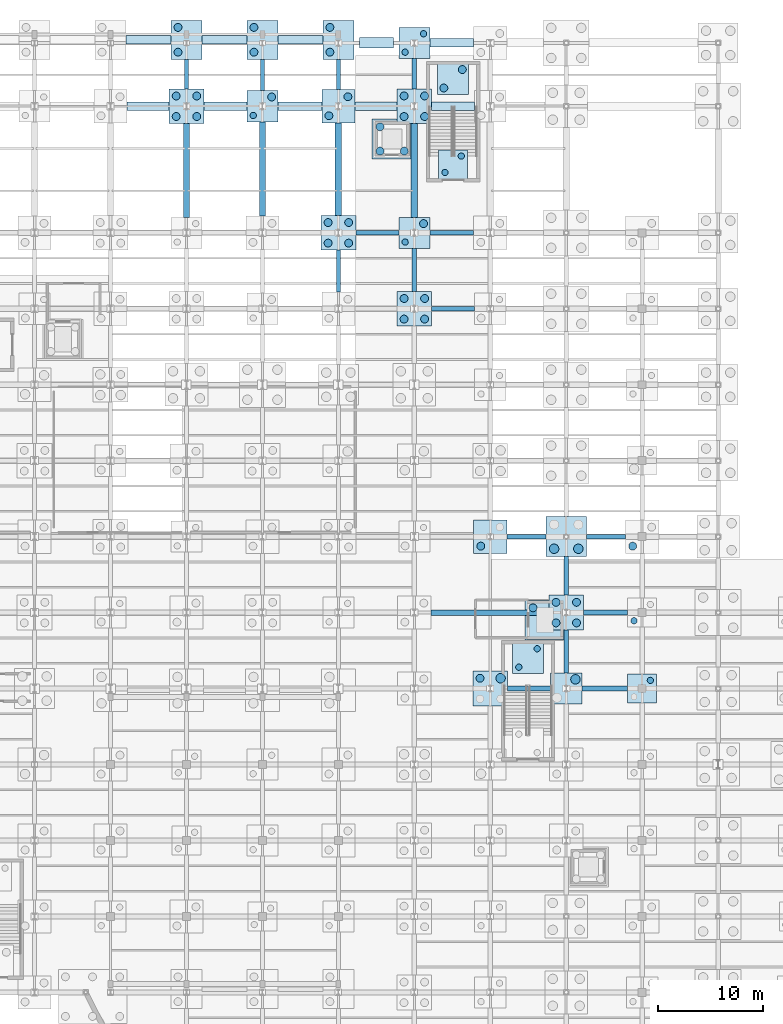
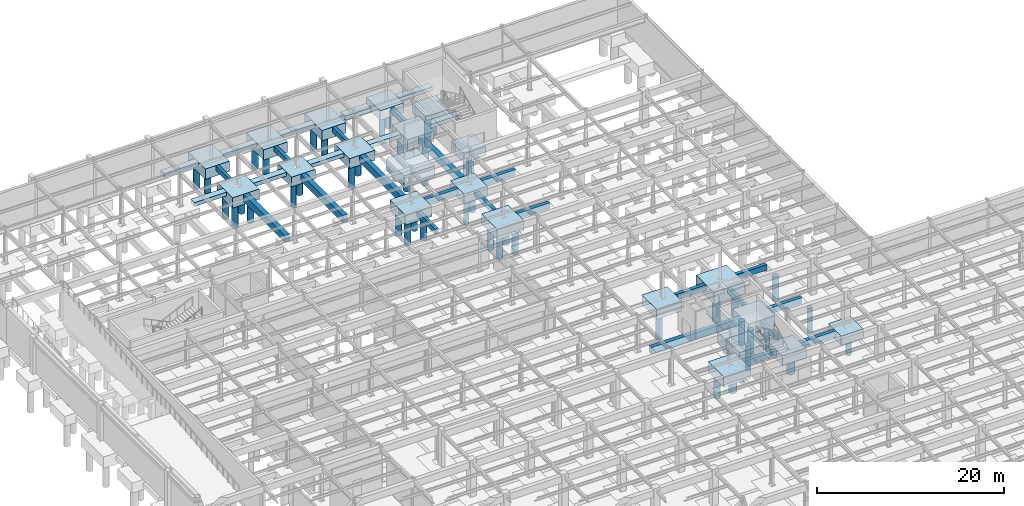
# One storey, part 11 of 64: 53 footings, 53 piles.
"""IFC4 building model written with IfcOpenShell, lengths in metres."""

from ifc_helpers import new_model, si_unit, direction, frame, origin, origin_2d, place, context, subcontext, project, spatial, rectangle, circle, extrude, material, material_profile, profile_set, type_object, element, save


model = new_model("IFC4")

# Units and contexts
model_context = context("Model", 3, precision=1e-05, world=origin(), true_north=direction((0.0, 1.0)))
body_context = subcontext(model_context, "Body", "Model", "MODEL_VIEW")
ifc_project = project(units=[si_unit("LENGTHUNIT", "METRE"), si_unit("AREAUNIT", "SQUARE_METRE"), si_unit("VOLUMEUNIT", "CUBIC_METRE"), si_unit("PLANEANGLEUNIT", "RADIAN"), si_unit("MASSUNIT", "GRAM", prefix="KILO")], contexts=[model_context])

# Site, building, storey
site_placement = place(None, origin())
site = spatial("IfcSite", under=ifc_project, at=site_placement, CompositionType="ELEMENT")
building_placement = place(site_placement, origin())
building = spatial("IfcBuilding", under=site, at=building_placement, Name="Solvadek Multi-Sports Hall", CompositionType="ELEMENT")
storey_placement = place(building_placement, frame((0.0, 0.0, -4.800048828125)))
storey = spatial("IfcBuildingStorey", under=building, at=storey_placement, Name="B1", CompositionType="ELEMENT", Elevation=-4.800048828125)

# Footings
ifc_material_1 = material(Name="Concrete M40", Category="concrete")
footing_type_1 = type_object("IfcFootingType", Name="STR-CAP-275X275X120", PredefinedType="PILE_CAP", material=ifc_material_1)
for number, where, z_axis, x_axis, name in (
    (1, (79.199951171875, 49.199951171875, -1.19970703125), (0.0, 0.0, 1.0), (1.0, 0.0, 0.0), "Pile Cap PC-02 #172"),
    (2, (61.27490234375, 98.89990234375, -1.19970703125), (0.0, 0.0, 1.0), (1.0, 0.0, 0.0), "Pile Cap PC-02 #268"),
):
    element("IfcFooting", number, at=place(storey_placement, frame(where, z_axis=z_axis, x_axis=x_axis)), inside=storey, type_object=footing_type_1, Name=name, PredefinedType="PILE_CAP", context=body_context, shape_type="SweptSolid", body=[
        extrude(rectangle(XDim=2.75, YDim=2.75, at=origin_2d()), origin(), (0.0, 0.0, 1.0), 1.199951171875),
    ])
footing_type_2 = type_object("IfcFootingType", Name="STR-CAP-295X295X125", PredefinedType="PILE_CAP", material=ifc_material_1)
for number, where, z_axis, x_axis, name in (
    (3, (72.0, 49.199951171875, -1.25), (0.0, 0.0, 1.0), (1.0, 0.0, 0.0), "Pile Cap PC-14 #163"),
    (4, (68.375, 52.10009765625, -1.25), (0.0, 0.0, 1.0), (1.0, 0.0, 0.0), "Pile Cap PC-14 #173"),
    (5, (57.60009765625, 92.39990234375, -1.25), (0.0, 0.0, 1.0), (1.0, 0.0, 0.0), "Pile Cap PC-14 #265"),
    (6, (43.199951171875, 104.39990234375, -1.25), (0.0, 0.0, 1.0), (1.0, 0.0, 0.0), "Pile Cap PC-14 #277"),
    (7, (61.27490234375, 107.0, -1.25), (0.0, 0.0, 1.0), (1.0, 0.0, 0.0), "Pile Cap PC-14 #281"),
    (8, (57.60009765625, 110.39990234375, -1.25), (0.0, 0.0, 1.0), (1.0, 0.0, 0.0), "Pile Cap PC-14 #292"),
):
    element("IfcFooting", number, at=place(storey_placement, frame(where, z_axis=z_axis, x_axis=x_axis)), inside=storey, type_object=footing_type_2, Name=name, PredefinedType="PILE_CAP", context=body_context, shape_type="SweptSolid", body=[
        extrude(rectangle(XDim=2.949951171875, YDim=2.949951171875, at=origin_2d()), origin(), (0.0, 0.0, 1.0), 1.25),
    ])
footing_type_3 = type_object("IfcFootingType", Name="STR-CAP-315X315X130", PredefinedType="PILE_CAP", material=ifc_material_1)
for number, where, z_axis, x_axis, name in (
    (9, (64.800048828125, 63.60009765625, -1.2998046875), (0.0, 0.0, 1.0), (1.0, 0.0, 0.0), "Pile Cap PC-15 #209"),
    (10, (50.39990234375, 104.39990234375, -1.2998046875), (0.0, 0.0, 1.0), (1.0, 0.0, 0.0), "Pile Cap PC-15 #278"),
):
    element("IfcFooting", number, at=place(storey_placement, frame(where, z_axis=z_axis, x_axis=x_axis)), inside=storey, type_object=footing_type_3, Name=name, PredefinedType="PILE_CAP", context=body_context, shape_type="SweptSolid", body=[
        extrude(rectangle(XDim=3.14990234375, YDim=3.14990234375, at=origin_2d()), origin(), (0.0, 0.0, 1.0), 1.300048828125),
    ])
footing_type_4 = type_object("IfcFootingType", Name="STR-CAP-330X330X135", PredefinedType="PILE_CAP", material=ifc_material_1)
for number, where, z_axis, x_axis, name in (
    (11, (64.800048828125, 49.199951171875, -1.35009765625), (0.0, 0.0, 1.0), (1.0, 0.0, 0.0), "Pile Cap PC-04 #162"),
    (12, (72.0, 56.39990234375, -1.35009765625), (0.0, 0.0, 1.0), (1.0, 0.0, 0.0), "Pile Cap PC-04 #186"),
    (13, (57.60009765625, 85.199951171875, -1.35009765625), (0.0, 0.0, 1.0), (1.0, 0.0, 0.0), "Pile Cap PC-04 #252"),
    (14, (50.39990234375, 92.39990234375, -1.35009765625), (0.0, 0.0, 1.0), (1.0, 0.0, 0.0), "Pile Cap PC-04 #264"),
    (15, (36.0, 104.39990234375, -1.35009765625), (0.0, 0.0, 1.0), (1.0, 0.0, 0.0), "Pile Cap PC-04 #276"),
    (16, (57.60009765625, 104.39990234375, -1.35009765625), (0.0, 0.0, 1.0), (1.0, 0.0, 0.0), "Pile Cap PC-04 #279"),
):
    element("IfcFooting", number, at=place(storey_placement, frame(where, z_axis=z_axis, x_axis=x_axis)), inside=storey, type_object=footing_type_4, Name=name, PredefinedType="PILE_CAP", context=body_context, shape_type="SweptSolid", body=[
        extrude(rectangle(XDim=3.300048828125, YDim=3.300048828125, at=origin_2d()), origin(), (0.0, 0.0, 1.0), 1.35009765625),
    ])
footing_type_5 = type_object("IfcFootingType", Name="STR-CAP-380X380X150", PredefinedType="PILE_CAP", material=ifc_material_1)
for number, where, z_axis, x_axis, name in (
    (17, (72.0, 63.60009765625, -1.5), (0.0, 0.0, 1.0), (1.0, 0.0, 0.0), "Pile Cap PC-06 #196"),
    (18, (70.0, 55.699951171875, -3.349853515625), (0.0, 0.0, 1.0), (1.0, 0.0, 0.0), "Lift Pit Pile Cap #295"),
    (19, (55.5, 101.300048828125, -3.349853515625), (0.0, 0.0, 1.0), (1.0, 0.0, 0.0), "Lift Pit Pile Cap #296"),
):
    element("IfcFooting", number, at=place(storey_placement, frame(where, z_axis=z_axis, x_axis=x_axis)), inside=storey, type_object=footing_type_5, Name=name, PredefinedType="PILE_CAP", context=body_context, shape_type="SweptSolid", body=[
        extrude(rectangle(XDim=3.800048828125, YDim=3.800048828125, at=origin_2d()), origin(), (0.0, 0.0, 1.0), 1.5),
    ])
footing_type_6 = type_object("IfcFootingType", Name="STR-CAP-CMB-370X296", PredefinedType="PILE_CAP", material=ifc_material_1)
for number, where, z_axis, x_axis, name in (
    (20, (36.0, 110.699951171875, -1.35009765625), (0.0, 0.0, 1.0), (0.0, 1.0, 0.0), "Pile Cap PC-R69 #289"),
    (21, (43.199951171875, 110.699951171875, -1.35009765625), (0.0, 0.0, 1.0), (0.0, 1.0, 0.0), "Pile Cap PC-R69 #290"),
    (22, (50.39990234375, 110.699951171875, -1.35009765625), (0.0, 0.0, 1.0), (0.0, 1.0, 0.0), "Pile Cap PC-R69 #291"),
):
    element("IfcFooting", number, at=place(storey_placement, frame(where, z_axis=z_axis, x_axis=x_axis)), inside=storey, type_object=footing_type_6, Name=name, PredefinedType="PILE_CAP", context=body_context, shape_type="SweptSolid", body=[
        extrude(rectangle(XDim=3.699951171875, YDim=2.9599609375, at=origin_2d()), origin(), (0.0, 0.0, 1.0), 1.35009765625),
    ])
footing_type_7 = type_object("IfcFootingType", Name="STR-FTB-400X650", PredefinedType="FOOTING_BEAM", material=ifc_material_1)
footing_1_placement = place(storey_placement, frame((36.0, 107.449951171875, -0.64990234375), z_axis=(0.0, 0.0, 1.0), x_axis=(0.0, 1.0, 0.0)))
element("IfcFooting", 23, at=footing_1_placement, inside=storey, type_object=footing_type_7, Name="Foundation Beam FB-01 #273", PredefinedType="FOOTING_BEAM", context=body_context, shape_type="SweptSolid", body=[
    extrude(rectangle(XDim=2.800048828125, YDim=0.39990234375, at=origin_2d()), origin(), (0.0, 0.0, 1.0), 0.64990234375),
])
footing_2_placement = place(storey_placement, frame((43.199951171875, 107.362548828125, -0.64990234375), z_axis=(0.0, 0.0, 1.0), x_axis=(0.0, 1.0, 0.0)))
element("IfcFooting", 24, at=footing_2_placement, inside=storey, type_object=footing_type_7, Name="Foundation Beam FB-01 #287", PredefinedType="FOOTING_BEAM", context=body_context, shape_type="SweptSolid", body=[
    extrude(rectangle(XDim=2.97509765625, YDim=0.39990234375, at=origin_2d()), origin(), (0.0, 0.0, 1.0), 0.64990234375),
])
footing_3_placement = place(storey_placement, frame((50.39990234375, 88.762451171875, -0.64990234375), z_axis=(0.0, 0.0, 1.0), x_axis=(0.0, 1.0, 0.0)))
element("IfcFooting", 25, at=footing_3_placement, inside=storey, type_object=footing_type_7, Name="Foundation Beam FB-01 #299", PredefinedType="FOOTING_BEAM", context=body_context, shape_type="SweptSolid", body=[
    extrude(rectangle(XDim=3.97509765625, YDim=0.39990234375, at=origin_2d()), origin(), (0.0, 0.0, 1.0), 0.64990234375),
])
footing_4_placement = place(storey_placement, frame((50.39990234375, 107.41259765625, -0.64990234375), z_axis=(0.0, 0.0, 1.0), x_axis=(0.0, 1.0, 0.0)))
element("IfcFooting", 26, at=footing_4_placement, inside=storey, type_object=footing_type_7, Name="Foundation Beam FB-01 #301", PredefinedType="FOOTING_BEAM", context=body_context, shape_type="SweptSolid", body=[
    extrude(rectangle(XDim=2.875, YDim=0.39990234375, at=origin_2d()), origin(), (0.0, 0.0, 1.0), 0.64990234375),
])
footing_5_placement = place(storey_placement, frame((57.60009765625, 88.887451171875, -0.64990234375), z_axis=(0.0, 0.0, 1.0), x_axis=(0.0, 1.0, 0.0)))
element("IfcFooting", 27, at=footing_5_placement, inside=storey, type_object=footing_type_7, Name="Foundation Beam FB-01 #312", PredefinedType="FOOTING_BEAM", context=body_context, shape_type="SweptSolid", body=[
    extrude(rectangle(XDim=4.074951171875, YDim=0.39990234375, at=origin_2d()), origin(), (0.0, 0.0, 1.0), 0.64990234375),
])
footing_6_placement = place(storey_placement, frame((57.60009765625, 107.487548828125, -0.64990234375), z_axis=(0.0, 0.0, 1.0), x_axis=(0.0, 1.0, 0.0)))
element("IfcFooting", 28, at=footing_6_placement, inside=storey, type_object=footing_type_7, Name="Foundation Beam FB-01 #314", PredefinedType="FOOTING_BEAM", context=body_context, shape_type="SweptSolid", body=[
    extrude(rectangle(XDim=2.875, YDim=0.39990234375, at=origin_2d()), origin(), (0.0, 0.0, 1.0), 0.64990234375),
])
footing_7_placement = place(storey_placement, frame((72.0, 52.71240234375, -0.64990234375), z_axis=(0.0, 0.0, 1.0), x_axis=(0.0, 1.0, 0.0)))
element("IfcFooting", 29, at=footing_7_placement, inside=storey, type_object=footing_type_7, Name="Foundation Beam FB-01 #333", PredefinedType="FOOTING_BEAM", context=body_context, shape_type="SweptSolid", body=[
    extrude(rectangle(XDim=4.074951171875, YDim=0.39990234375, at=origin_2d()), origin(), (0.0, 0.0, 1.0), 0.64990234375),
])
footing_8_placement = place(storey_placement, frame((72.0, 59.875, -0.64990234375), z_axis=(0.0, 0.0, 1.0), x_axis=(0.0, 1.0, 0.0)))
element("IfcFooting", 30, at=footing_8_placement, inside=storey, type_object=footing_type_7, Name="Foundation Beam FB-01 #334", PredefinedType="FOOTING_BEAM", context=body_context, shape_type="SweptSolid", body=[
    extrude(rectangle(XDim=3.64990234375, YDim=0.39990234375, at=origin_2d()), origin(), (0.0, 0.0, 1.0), 0.64990234375),
])
footing_type_8 = type_object("IfcFootingType", Name="STR-FTB-450X750", PredefinedType="FOOTING_BEAM", material=ifc_material_1)
footing_9_placement = place(storey_placement, frame((68.487548828125, 49.199951171875, -0.75), z_axis=(0.0, 0.0, 1.0), x_axis=(1.0, 0.0, 0.0)))
element("IfcFooting", 31, at=footing_9_placement, inside=storey, type_object=footing_type_8, Name="Foundation Beam FB-02 #106", PredefinedType="FOOTING_BEAM", context=body_context, shape_type="SweptSolid", body=[
    extrude(rectangle(XDim=4.074951171875, YDim=0.449951171875, at=origin_2d()), origin(), (0.0, 0.0, 1.0), 0.75),
])
footing_10_placement = place(storey_placement, frame((75.64990234375, 49.199951171875, -0.75), z_axis=(0.0, 0.0, 1.0), x_axis=(1.0, 0.0, 0.0)))
element("IfcFooting", 32, at=footing_10_placement, inside=storey, type_object=footing_type_8, Name="Foundation Beam FB-02 #107", PredefinedType="FOOTING_BEAM", context=body_context, shape_type="SweptSolid", body=[
    extrude(rectangle(XDim=4.35009765625, YDim=0.449951171875, at=origin_2d()), origin(), (0.0, 0.0, 1.0), 0.75),
])
footing_11_placement = place(storey_placement, frame((75.737548828125, 56.39990234375, -0.75), z_axis=(0.0, 0.0, 1.0), x_axis=(1.0, 0.0, 0.0)))
element("IfcFooting", 33, at=footing_11_placement, inside=storey, type_object=footing_type_8, Name="Foundation Beam FB-02 #128", PredefinedType="FOOTING_BEAM", context=body_context, shape_type="SweptSolid", body=[
    extrude(rectangle(XDim=4.175048828125, YDim=0.449951171875, at=origin_2d()), origin(), (0.0, 0.0, 1.0), 0.75),
])
for number, where, z_axis, x_axis, name in (
    (34, (68.237548828125, 63.60009765625, -0.75), (0.0, 0.0, 1.0), (1.0, 0.0, 0.0), "Foundation Beam FB-02 #149"),
    (35, (75.762451171875, 63.60009765625, -0.75), (0.0, 0.0, 1.0), (1.0, 0.0, 0.0), "Foundation Beam FB-02 #150"),
):
    element("IfcFooting", number, at=place(storey_placement, frame(where, z_axis=z_axis, x_axis=x_axis)), inside=storey, type_object=footing_type_8, Name=name, PredefinedType="FOOTING_BEAM", context=body_context, shape_type="SweptSolid", body=[
        extrude(rectangle(XDim=3.72509765625, YDim=0.449951171875, at=origin_2d()), origin(), (0.0, 0.0, 1.0), 0.75),
    ])
for number, where, z_axis, x_axis, name in (
    (36, (61.28759765625, 85.199951171875, -0.75), (0.0, 0.0, 1.0), (1.0, 0.0, 0.0), "Foundation Beam FB-02 #181"),
    (37, (54.08740234375, 92.39990234375, -0.75), (0.0, 0.0, 1.0), (1.0, 0.0, 0.0), "Foundation Beam FB-02 #192"),
):
    element("IfcFooting", number, at=place(storey_placement, frame(where, z_axis=z_axis, x_axis=x_axis)), inside=storey, type_object=footing_type_8, Name=name, PredefinedType="FOOTING_BEAM", context=body_context, shape_type="SweptSolid", body=[
        extrude(rectangle(XDim=4.074951171875, YDim=0.449951171875, at=origin_2d()), origin(), (0.0, 0.0, 1.0), 0.75),
    ])
footing_12_placement = place(storey_placement, frame((61.14990234375, 92.39990234375, -0.75), z_axis=(0.0, 0.0, 1.0), x_axis=(1.0, 0.0, 0.0)))
element("IfcFooting", 38, at=footing_12_placement, inside=storey, type_object=footing_type_8, Name="Foundation Beam FB-02 #193", PredefinedType="FOOTING_BEAM", context=body_context, shape_type="SweptSolid", body=[
    extrude(rectangle(XDim=4.14990234375, YDim=0.449951171875, at=origin_2d()), origin(), (0.0, 0.0, 1.0), 0.75),
])
footing_type_9 = type_object("IfcFootingType", Name="STR-FTB-500X850", PredefinedType="FOOTING_BEAM", material=ifc_material_1)
footing_13_placement = place(storey_placement, frame((64.762451171875, 56.39990234375, -0.85009765625), z_axis=(0.0, 0.0, 1.0), x_axis=(1.0, 0.0, 0.0)))
element("IfcFooting", 39, at=footing_13_placement, inside=storey, type_object=footing_type_9, Name="Foundation Beam FB-03 #127", PredefinedType="FOOTING_BEAM", context=body_context, shape_type="SweptSolid", body=[
    extrude(rectangle(XDim=11.175048828125, YDim=0.5, at=origin_2d()), origin(), (0.0, 0.0, 1.0), 0.85009765625),
])
footing_type_10 = type_object("IfcFootingType", Name="STR-FTB-600X950", PredefinedType="FOOTING_BEAM", material=ifc_material_1)
footing_14_placement = place(storey_placement, frame((36.0, 98.3125, -0.94970703125), z_axis=(0.0, 0.0, 1.0), x_axis=(0.0, 1.0, 0.0)))
element("IfcFooting", 40, at=footing_14_placement, inside=storey, type_object=footing_type_10, Name="Foundation Beam FB-04 #272", PredefinedType="FOOTING_BEAM", context=body_context, shape_type="SweptSolid", body=[
    extrude(rectangle(XDim=8.875, YDim=0.60009765625, at=origin_2d()), origin(), (0.0, 0.0, 1.0), 0.949951171875),
])
footing_15_placement = place(storey_placement, frame((43.199951171875, 98.449951171875, -0.94970703125), z_axis=(0.0, 0.0, 1.0), x_axis=(0.0, 1.0, 0.0)))
element("IfcFooting", 41, at=footing_15_placement, inside=storey, type_object=footing_type_10, Name="Foundation Beam FB-04 #286", PredefinedType="FOOTING_BEAM", context=body_context, shape_type="SweptSolid", body=[
    extrude(rectangle(XDim=8.949951171875, YDim=0.60009765625, at=origin_2d()), origin(), (0.0, 0.0, 1.0), 0.949951171875),
])
footing_16_placement = place(storey_placement, frame((50.39990234375, 98.4375, -0.94970703125), z_axis=(0.0, 0.0, 1.0), x_axis=(0.0, 1.0, 0.0)))
element("IfcFooting", 42, at=footing_16_placement, inside=storey, type_object=footing_type_10, Name="Foundation Beam FB-04 #300", PredefinedType="FOOTING_BEAM", context=body_context, shape_type="SweptSolid", body=[
    extrude(rectangle(XDim=8.77490234375, YDim=0.60009765625, at=origin_2d()), origin(), (0.0, 0.0, 1.0), 0.949951171875),
])
footing_17_placement = place(storey_placement, frame((57.60009765625, 98.3125, -0.94970703125), z_axis=(0.0, 0.0, 1.0), x_axis=(0.0, 1.0, 0.0)))
element("IfcFooting", 43, at=footing_17_placement, inside=storey, type_object=footing_type_10, Name="Foundation Beam FB-04 #313", PredefinedType="FOOTING_BEAM", context=body_context, shape_type="SweptSolid", body=[
    extrude(rectangle(XDim=8.875, YDim=0.60009765625, at=origin_2d()), origin(), (0.0, 0.0, 1.0), 0.949951171875),
])

# Piles
ifc_material_2 = material(Name="Concrete M35", Category="concrete")
ifc_material_profile_1 = material_profile(ifc_material_2, circle(Radius=0.300048828125, at=origin_2d()), Name="BORED PILE D600")
ifc_profile_set_1 = profile_set([ifc_material_profile_1], Name="Concrete M35")
pile_type_1 = type_object("IfcPileType", Name="STR-PILE-D600", PredefinedType="BORED", material=ifc_profile_set_1)
pile_1_placement = place(storey_placement, frame((79.97509765625, 49.97509765625, -1.099853515625), z_axis=(0.0, 0.0, -1.0), x_axis=(1.0, 0.0, 0.0)))
element("IfcPile", 44, at=pile_1_placement, inside=storey, type_object=pile_type_1, Name="Bored Pile PL-600 #549", PredefinedType="BORED", context=body_context, shape_type="SweptSolid", body=[
    extrude(circle(Radius=0.300048828125, at=origin_2d()), origin(), (0.0, 0.0, 1.0), 3.300048828125),
])
for number, where, z_axis, x_axis, name in (
    (45, (67.5, 51.22509765625, -1.14990234375), (0.0, 0.0, -1.0), (1.0, 0.0, 0.0), "Bored Pile PL-600 #550"),
    (46, (69.25, 52.97509765625, -1.14990234375), (0.0, 0.0, -1.0), (1.0, 0.0, 0.0), "Bored Pile PL-600 #551"),
):
    element("IfcPile", number, at=place(storey_placement, frame(where, z_axis=z_axis, x_axis=x_axis)), inside=storey, type_object=pile_type_1, Name=name, PredefinedType="BORED", context=body_context, shape_type="SweptSolid", body=[
        extrude(circle(Radius=0.300048828125, at=origin_2d()), origin(), (0.0, 0.0, 1.0), 3.25),
    ])
pile_2_placement = place(storey_placement, frame((78.425048828125, 55.625, -1.099853515625), z_axis=(0.0, 0.0, -1.0), x_axis=(1.0, 0.0, 0.0)))
element("IfcPile", 47, at=pile_2_placement, inside=storey, type_object=pile_type_1, Name="Bored Pile PL-600 #590", PredefinedType="BORED", context=body_context, shape_type="SweptSolid", body=[
    extrude(circle(Radius=0.300048828125, at=origin_2d()), origin(), (0.0, 0.0, 1.0), 3.300048828125),
])
pile_3_placement = place(storey_placement, frame((56.72509765625, 91.52490234375, -1.14990234375), z_axis=(0.0, 0.0, -1.0), x_axis=(1.0, 0.0, 0.0)))
element("IfcPile", 48, at=pile_3_placement, inside=storey, type_object=pile_type_1, Name="Bored Pile PL-600 #842", PredefinedType="BORED", context=body_context, shape_type="SweptSolid", body=[
    extrude(circle(Radius=0.300048828125, at=origin_2d()), origin(), (0.0, 0.0, 1.0), 3.25),
])
for number, where, z_axis, x_axis, name in (
    (49, (60.5, 98.125, -1.099853515625), (0.0, 0.0, -1.0), (1.0, 0.0, 0.0), "Bored Pile PL-600 #848"),
    (50, (62.050048828125, 99.675048828125, -1.099853515625), (0.0, 0.0, -1.0), (1.0, 0.0, 0.0), "Bored Pile PL-600 #849"),
):
    element("IfcPile", number, at=place(storey_placement, frame(where, z_axis=z_axis, x_axis=x_axis)), inside=storey, type_object=pile_type_1, Name=name, PredefinedType="BORED", context=body_context, shape_type="SweptSolid", body=[
        extrude(circle(Radius=0.300048828125, at=origin_2d()), origin(), (0.0, 0.0, 1.0), 3.300048828125),
    ])
for number, where, z_axis, x_axis, name in (
    (51, (42.324951171875, 103.52490234375, -1.14990234375), (0.0, 0.0, -1.0), (1.0, 0.0, 0.0), "Bored Pile PL-600 #874"),
    (52, (56.72509765625, 109.52490234375, -1.14990234375), (0.0, 0.0, -1.0), (1.0, 0.0, 0.0), "Bored Pile PL-600 #912"),
    (53, (58.47509765625, 111.27490234375, -1.14990234375), (0.0, 0.0, -1.0), (1.0, 0.0, 0.0), "Bored Pile PL-600 #913"),
):
    element("IfcPile", number, at=place(storey_placement, frame(where, z_axis=z_axis, x_axis=x_axis)), inside=storey, type_object=pile_type_1, Name=name, PredefinedType="BORED", context=body_context, shape_type="SweptSolid", body=[
        extrude(circle(Radius=0.300048828125, at=origin_2d()), origin(), (0.0, 0.0, 1.0), 3.25),
    ])
ifc_material_profile_2 = material_profile(ifc_material_2, circle(Radius=0.375, at=origin_2d()), Name="BORED PILE D750")
ifc_profile_set_2 = profile_set([ifc_material_profile_2], Name="Concrete M35")
pile_type_2 = type_object("IfcPileType", Name="STR-PILE-D750", PredefinedType="BORED", material=ifc_profile_set_2)
for number, where, z_axis, x_axis, name in (
    (54, (63.824951171875, 50.175048828125, -1.25), (0.0, 0.0, -1.0), (1.0, 0.0, 0.0), "Bored Pile PL-750 #521"),
    (55, (71.02490234375, 55.425048828125, -1.25), (0.0, 0.0, -1.0), (1.0, 0.0, 0.0), "Bored Pile PL-750 #586"),
    (56, (71.02490234375, 57.375, -1.25), (0.0, 0.0, -1.0), (1.0, 0.0, 0.0), "Bored Pile PL-750 #587"),
    (57, (72.97509765625, 55.425048828125, -1.25), (0.0, 0.0, -1.0), (1.0, 0.0, 0.0), "Bored Pile PL-750 #588"),
    (58, (72.97509765625, 57.375, -1.25), (0.0, 0.0, -1.0), (1.0, 0.0, 0.0), "Bored Pile PL-750 #589"),
):
    element("IfcPile", number, at=place(storey_placement, frame(where, z_axis=z_axis, x_axis=x_axis)), inside=storey, type_object=pile_type_2, Name=name, PredefinedType="BORED", context=body_context, shape_type="SweptSolid", body=[
        extrude(circle(Radius=0.375, at=origin_2d()), origin(), (0.0, 0.0, 1.0), 3.14990234375),
    ])
for number, where, z_axis, x_axis, name in (
    (59, (63.89990234375, 62.699951171875, -1.199951171875), (0.0, 0.0, -1.0), (1.0, 0.0, 0.0), "Bored Pile PL-750 #648"),
    (60, (78.300048828125, 62.699951171875, -1.199951171875), (0.0, 0.0, -1.0), (1.0, 0.0, 0.0), "Bored Pile PL-750 #664"),
):
    element("IfcPile", number, at=place(storey_placement, frame(where, z_axis=z_axis, x_axis=x_axis)), inside=storey, type_object=pile_type_2, Name=name, PredefinedType="BORED", context=body_context, shape_type="SweptSolid", body=[
        extrude(circle(Radius=0.375, at=origin_2d()), origin(), (0.0, 0.0, 1.0), 3.199951171875),
    ])
for number, where, z_axis, x_axis, name in (
    (61, (56.625, 84.22509765625, -1.25), (0.0, 0.0, -1.0), (1.0, 0.0, 0.0), "Bored Pile PL-750 #804"),
    (62, (56.625, 86.175048828125, -1.25), (0.0, 0.0, -1.0), (1.0, 0.0, 0.0), "Bored Pile PL-750 #805"),
    (63, (58.574951171875, 84.22509765625, -1.25), (0.0, 0.0, -1.0), (1.0, 0.0, 0.0), "Bored Pile PL-750 #806"),
    (64, (58.574951171875, 86.175048828125, -1.25), (0.0, 0.0, -1.0), (1.0, 0.0, 0.0), "Bored Pile PL-750 #807"),
    (65, (49.425048828125, 91.425048828125, -1.25), (0.0, 0.0, -1.0), (1.0, 0.0, 0.0), "Bored Pile PL-750 #838"),
    (66, (49.425048828125, 93.375, -1.25), (0.0, 0.0, -1.0), (1.0, 0.0, 0.0), "Bored Pile PL-750 #839"),
    (67, (51.375, 91.425048828125, -1.25), (0.0, 0.0, -1.0), (1.0, 0.0, 0.0), "Bored Pile PL-750 #840"),
    (68, (51.375, 93.375, -1.25), (0.0, 0.0, -1.0), (1.0, 0.0, 0.0), "Bored Pile PL-750 #841"),
):
    element("IfcPile", number, at=place(storey_placement, frame(where, z_axis=z_axis, x_axis=x_axis)), inside=storey, type_object=pile_type_2, Name=name, PredefinedType="BORED", context=body_context, shape_type="SweptSolid", body=[
        extrude(circle(Radius=0.375, at=origin_2d()), origin(), (0.0, 0.0, 1.0), 3.14990234375),
    ])
pile_4_placement = place(storey_placement, frame((58.47509765625, 93.27490234375, -1.14990234375), z_axis=(0.0, 0.0, -1.0), x_axis=(1.0, 0.0, 0.0)))
element("IfcPile", 69, at=pile_4_placement, inside=storey, type_object=pile_type_2, Name="Bored Pile PL-750 #843", PredefinedType="BORED", context=body_context, shape_type="SweptSolid", body=[
    extrude(circle(Radius=0.375, at=origin_2d()), origin(), (0.0, 0.0, 1.0), 3.25),
])
for number, where, z_axis, x_axis, name in (
    (70, (35.02490234375, 103.425048828125, -1.25), (0.0, 0.0, -1.0), (1.0, 0.0, 0.0), "Bored Pile PL-750 #870"),
    (71, (35.02490234375, 105.375, -1.25), (0.0, 0.0, -1.0), (1.0, 0.0, 0.0), "Bored Pile PL-750 #871"),
    (72, (36.97509765625, 103.425048828125, -1.25), (0.0, 0.0, -1.0), (1.0, 0.0, 0.0), "Bored Pile PL-750 #872"),
    (73, (36.97509765625, 105.375, -1.25), (0.0, 0.0, -1.0), (1.0, 0.0, 0.0), "Bored Pile PL-750 #873"),
):
    element("IfcPile", number, at=place(storey_placement, frame(where, z_axis=z_axis, x_axis=x_axis)), inside=storey, type_object=pile_type_2, Name=name, PredefinedType="BORED", context=body_context, shape_type="SweptSolid", body=[
        extrude(circle(Radius=0.375, at=origin_2d()), origin(), (0.0, 0.0, 1.0), 3.14990234375),
    ])
pile_5_placement = place(storey_placement, frame((44.074951171875, 105.27490234375, -1.14990234375), z_axis=(0.0, 0.0, -1.0), x_axis=(1.0, 0.0, 0.0)))
element("IfcPile", 74, at=pile_5_placement, inside=storey, type_object=pile_type_2, Name="Bored Pile PL-750 #875", PredefinedType="BORED", context=body_context, shape_type="SweptSolid", body=[
    extrude(circle(Radius=0.375, at=origin_2d()), origin(), (0.0, 0.0, 1.0), 3.25),
])
for number, where, z_axis, x_axis, name in (
    (75, (49.5, 103.5, -1.199951171875), (0.0, 0.0, -1.0), (1.0, 0.0, 0.0), "Bored Pile PL-750 #876"),
    (76, (51.300048828125, 105.300048828125, -1.199951171875), (0.0, 0.0, -1.0), (1.0, 0.0, 0.0), "Bored Pile PL-750 #877"),
):
    element("IfcPile", number, at=place(storey_placement, frame(where, z_axis=z_axis, x_axis=x_axis)), inside=storey, type_object=pile_type_2, Name=name, PredefinedType="BORED", context=body_context, shape_type="SweptSolid", body=[
        extrude(circle(Radius=0.375, at=origin_2d()), origin(), (0.0, 0.0, 1.0), 3.199951171875),
    ])
for number, where, z_axis, x_axis, name in (
    (77, (56.625, 103.425048828125, -1.25), (0.0, 0.0, -1.0), (1.0, 0.0, 0.0), "Bored Pile PL-750 #878"),
    (78, (56.625, 105.375, -1.25), (0.0, 0.0, -1.0), (1.0, 0.0, 0.0), "Bored Pile PL-750 #879"),
    (79, (58.574951171875, 103.425048828125, -1.25), (0.0, 0.0, -1.0), (1.0, 0.0, 0.0), "Bored Pile PL-750 #880"),
    (80, (58.574951171875, 105.375, -1.25), (0.0, 0.0, -1.0), (1.0, 0.0, 0.0), "Bored Pile PL-750 #881"),
):
    element("IfcPile", number, at=place(storey_placement, frame(where, z_axis=z_axis, x_axis=x_axis)), inside=storey, type_object=pile_type_2, Name=name, PredefinedType="BORED", context=body_context, shape_type="SweptSolid", body=[
        extrude(circle(Radius=0.375, at=origin_2d()), origin(), (0.0, 0.0, 1.0), 3.14990234375),
    ])
for number, where, z_axis, x_axis, name in (
    (81, (60.39990234375, 106.125, -1.14990234375), (0.0, 0.0, -1.0), (1.0, 0.0, 0.0), "Bored Pile PL-750 #884"),
    (82, (62.14990234375, 107.875, -1.14990234375), (0.0, 0.0, -1.0), (1.0, 0.0, 0.0), "Bored Pile PL-750 #885"),
):
    element("IfcPile", number, at=place(storey_placement, frame(where, z_axis=z_axis, x_axis=x_axis)), inside=storey, type_object=pile_type_2, Name=name, PredefinedType="BORED", context=body_context, shape_type="SweptSolid", body=[
        extrude(circle(Radius=0.375, at=origin_2d()), origin(), (0.0, 0.0, 1.0), 3.25),
    ])
for number, where, z_axis, x_axis, name in (
    (83, (35.195068359375, 109.52490234375, -1.25), (0.0, 0.0, -1.0), (1.0, 0.0, 0.0), "Bored Pile PL-750 #906"),
    (84, (35.195068359375, 111.875, -1.25), (0.0, 0.0, -1.0), (1.0, 0.0, 0.0), "Bored Pile PL-750 #907"),
    (85, (42.39501953125, 109.52490234375, -1.25), (0.0, 0.0, -1.0), (1.0, 0.0, 0.0), "Bored Pile PL-750 #908"),
    (86, (42.39501953125, 111.875, -1.25), (0.0, 0.0, -1.0), (1.0, 0.0, 0.0), "Bored Pile PL-750 #909"),
    (87, (49.594970703125, 109.52490234375, -1.25), (0.0, 0.0, -1.0), (1.0, 0.0, 0.0), "Bored Pile PL-750 #910"),
    (88, (49.594970703125, 111.875, -1.25), (0.0, 0.0, -1.0), (1.0, 0.0, 0.0), "Bored Pile PL-750 #911"),
):
    element("IfcPile", number, at=place(storey_placement, frame(where, z_axis=z_axis, x_axis=x_axis)), inside=storey, type_object=pile_type_2, Name=name, PredefinedType="BORED", context=body_context, shape_type="SweptSolid", body=[
        extrude(circle(Radius=0.375, at=origin_2d()), origin(), (0.0, 0.0, 1.0), 3.14990234375),
    ])
for number, where, z_axis, x_axis, name in (
    (89, (68.85009765625, 56.85009765625, -3.25), (0.0, 0.0, -1.0), (1.0, 0.0, 0.0), "Lift Pit Bored Pile PL-750 #920"),
    (90, (54.35009765625, 100.14990234375, -3.25), (0.0, 0.0, -1.0), (1.0, 0.0, 0.0), "Lift Pit Bored Pile PL-750 #921"),
    (91, (56.64990234375, 100.14990234375, -3.25), (0.0, 0.0, -1.0), (1.0, 0.0, 0.0), "Lift Pit Bored Pile PL-750 #922"),
    (92, (54.35009765625, 102.449951171875, -3.25), (0.0, 0.0, -1.0), (1.0, 0.0, 0.0), "Lift Pit Bored Pile PL-750 #923"),
):
    element("IfcPile", number, at=place(storey_placement, frame(where, z_axis=z_axis, x_axis=x_axis)), inside=storey, type_object=pile_type_2, Name=name, PredefinedType="BORED", context=body_context, shape_type="SweptSolid", body=[
        extrude(circle(Radius=0.375, at=origin_2d()), origin(), (0.0, 0.0, 1.0), 1.14990234375),
    ])
ifc_material_profile_3 = material_profile(ifc_material_2, circle(Radius=0.449951171875, at=origin_2d()), Name="BORED PILE D900")
ifc_profile_set_3 = profile_set([ifc_material_profile_3], Name="Concrete M35")
pile_type_3 = type_object("IfcPileType", Name="STR-PILE-D900", PredefinedType="BORED", material=ifc_profile_set_3)
pile_6_placement = place(storey_placement, frame((65.77490234375, 50.175048828125, -1.25), z_axis=(0.0, 0.0, -1.0), x_axis=(1.0, 0.0, 0.0)))
element("IfcPile", 93, at=pile_6_placement, inside=storey, type_object=pile_type_3, Name="Bored Pile PL-900 #523", PredefinedType="BORED", context=body_context, shape_type="SweptSolid", body=[
    extrude(circle(Radius=0.449951171875, at=origin_2d()), origin(), (0.0, 0.0, 1.0), 3.14990234375),
])
pile_7_placement = place(storey_placement, frame((72.875, 50.074951171875, -1.14990234375), z_axis=(0.0, 0.0, -1.0), x_axis=(1.0, 0.0, 0.0)))
element("IfcPile", 94, at=pile_7_placement, inside=storey, type_object=pile_type_3, Name="Bored Pile PL-900 #525", PredefinedType="BORED", context=body_context, shape_type="SweptSolid", body=[
    extrude(circle(Radius=0.449951171875, at=origin_2d()), origin(), (0.0, 0.0, 1.0), 3.25),
])
for number, where, z_axis, x_axis, name in (
    (95, (70.85009765625, 62.449951171875, -1.39990234375), (0.0, 0.0, -1.0), (1.0, 0.0, 0.0), "Bored Pile PL-900 #608"),
    (96, (73.14990234375, 62.449951171875, -1.39990234375), (0.0, 0.0, -1.0), (1.0, 0.0, 0.0), "Bored Pile PL-900 #610"),
):
    element("IfcPile", number, at=place(storey_placement, frame(where, z_axis=z_axis, x_axis=x_axis)), inside=storey, type_object=pile_type_3, Name=name, PredefinedType="BORED", context=body_context, shape_type="SweptSolid", body=[
        extrude(circle(Radius=0.449951171875, at=origin_2d()), origin(), (0.0, 0.0, 1.0), 3.0),
    ])

# Footings
footing_type_11 = type_object("IfcFootingType", Name="STR-SFT-1000X600", PredefinedType="STRIP_FOOTING", material=ifc_material_1)
footing_18_placement = place(storey_placement, frame((54.00244140625, 110.39990234375, -0.60009765625), z_axis=(0.0, 0.0, 1.0), x_axis=(-1.0, 0.0, 0.0)))
element("IfcFooting", 97, at=footing_18_placement, inside=storey, type_object=footing_type_11, Name="Perimeter Retaining Wall Strip Footing #451", PredefinedType="STRIP_FOOTING", context=body_context, shape_type="SweptSolid", body=[
    extrude(rectangle(XDim=3.205078125, YDim=1.0, at=origin_2d()), origin(), (0.0, 0.0, 1.0), 0.60009765625),
])
footing_type_12 = type_object("IfcFootingType", Name="STR-SFT-800X500", PredefinedType="STRIP_FOOTING", material=ifc_material_1)
footing_19_placement = place(storey_placement, frame((32.362548828125, 104.39990234375, -0.5), z_axis=(0.0, 0.0, 1.0), x_axis=(1.0, 0.0, 0.0)))
element("IfcFooting", 98, at=footing_19_placement, inside=storey, type_object=footing_type_12, Name="Foundation Beam SF-01 #201", PredefinedType="STRIP_FOOTING", context=body_context, shape_type="SweptSolid", body=[
    extrude(rectangle(XDim=3.97509765625, YDim=0.800048828125, at=origin_2d()), origin(), (0.0, 0.0, 1.0), 0.5),
])
footing_20_placement = place(storey_placement, frame((39.6875, 104.39990234375, -0.5), z_axis=(0.0, 0.0, 1.0), x_axis=(1.0, 0.0, 0.0)))
element("IfcFooting", 99, at=footing_20_placement, inside=storey, type_object=footing_type_12, Name="Foundation Beam SF-01 #202", PredefinedType="STRIP_FOOTING", context=body_context, shape_type="SweptSolid", body=[
    extrude(rectangle(XDim=4.074951171875, YDim=0.800048828125, at=origin_2d()), origin(), (0.0, 0.0, 1.0), 0.5),
])
footing_21_placement = place(storey_placement, frame((46.75, 104.39990234375, -0.5), z_axis=(0.0, 0.0, 1.0), x_axis=(1.0, 0.0, 0.0)))
element("IfcFooting", 100, at=footing_21_placement, inside=storey, type_object=footing_type_12, Name="Foundation Beam SF-01 #203", PredefinedType="STRIP_FOOTING", context=body_context, shape_type="SweptSolid", body=[
    extrude(rectangle(XDim=4.14990234375, YDim=0.800048828125, at=origin_2d()), origin(), (0.0, 0.0, 1.0), 0.5),
])
footing_22_placement = place(storey_placement, frame((53.96240234375, 104.39990234375, -0.5), z_axis=(0.0, 0.0, 1.0), x_axis=(1.0, 0.0, 0.0)))
element("IfcFooting", 101, at=footing_22_placement, inside=storey, type_object=footing_type_12, Name="Foundation Beam SF-01 #204", PredefinedType="STRIP_FOOTING", context=body_context, shape_type="SweptSolid", body=[
    extrude(rectangle(XDim=3.97509765625, YDim=0.800048828125, at=origin_2d()), origin(), (0.0, 0.0, 1.0), 0.5),
])
footing_23_placement = place(storey_placement, frame((61.28759765625, 104.39990234375, -0.5), z_axis=(0.0, 0.0, 1.0), x_axis=(1.0, 0.0, 0.0)))
element("IfcFooting", 102, at=footing_23_placement, inside=storey, type_object=footing_type_12, Name="Foundation Beam SF-01 #205", PredefinedType="STRIP_FOOTING", context=body_context, shape_type="SweptSolid", body=[
    extrude(rectangle(XDim=4.074951171875, YDim=0.800048828125, at=origin_2d()), origin(), (0.0, 0.0, 1.0), 0.5),
])
footing_24_placement = place(storey_placement, frame((61.14990234375, 110.39990234375, -0.5), z_axis=(0.0, 0.0, 1.0), x_axis=(1.0, 0.0, 0.0)))
element("IfcFooting", 103, at=footing_24_placement, inside=storey, type_object=footing_type_12, Name="Foundation Beam SF-01 #209", PredefinedType="STRIP_FOOTING", context=body_context, shape_type="SweptSolid", body=[
    extrude(rectangle(XDim=4.14990234375, YDim=0.800048828125, at=origin_2d()), origin(), (0.0, 0.0, 1.0), 0.5),
])
for number, where, z_axis, x_axis, name in (
    (104, (32.39990234375, 110.699951171875, -0.5), (0.0, 0.0, 1.0), (1.0, 0.0, 0.0), "Foundation Beam SF-01 #214"),
    (105, (39.60009765625, 110.699951171875, -0.5), (0.0, 0.0, 1.0), (1.0, 0.0, 0.0), "Foundation Beam SF-01 #215"),
    (106, (46.800048828125, 110.699951171875, -0.5), (0.0, 0.0, 1.0), (1.0, 0.0, 0.0), "Foundation Beam SF-01 #216"),
):
    element("IfcFooting", number, at=place(storey_placement, frame(where, z_axis=z_axis, x_axis=x_axis)), inside=storey, type_object=footing_type_12, Name=name, PredefinedType="STRIP_FOOTING", context=body_context, shape_type="SweptSolid", body=[
        extrude(rectangle(XDim=4.239990234375, YDim=0.800048828125, at=origin_2d()), origin(), (0.0, 0.0, 1.0), 0.5),
    ])

save(model, "model.ifc")
